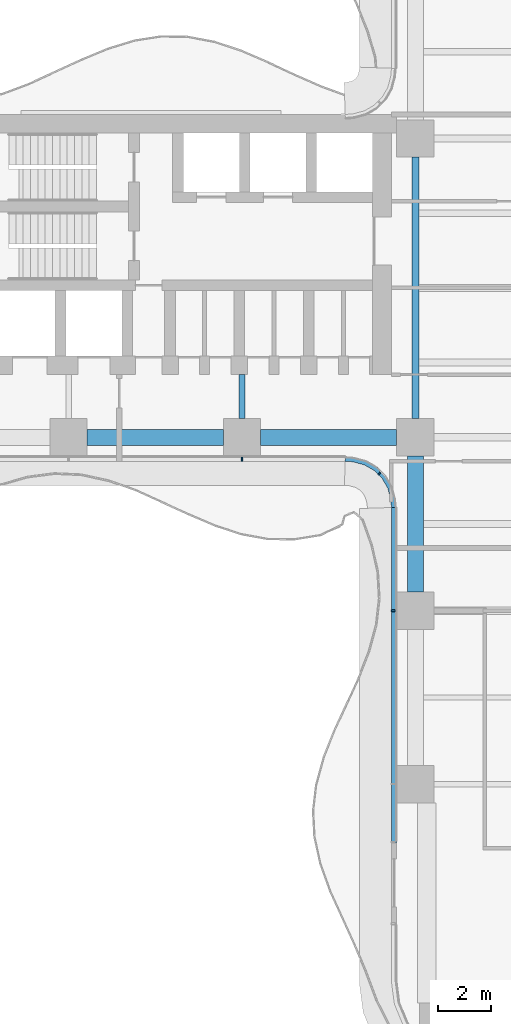
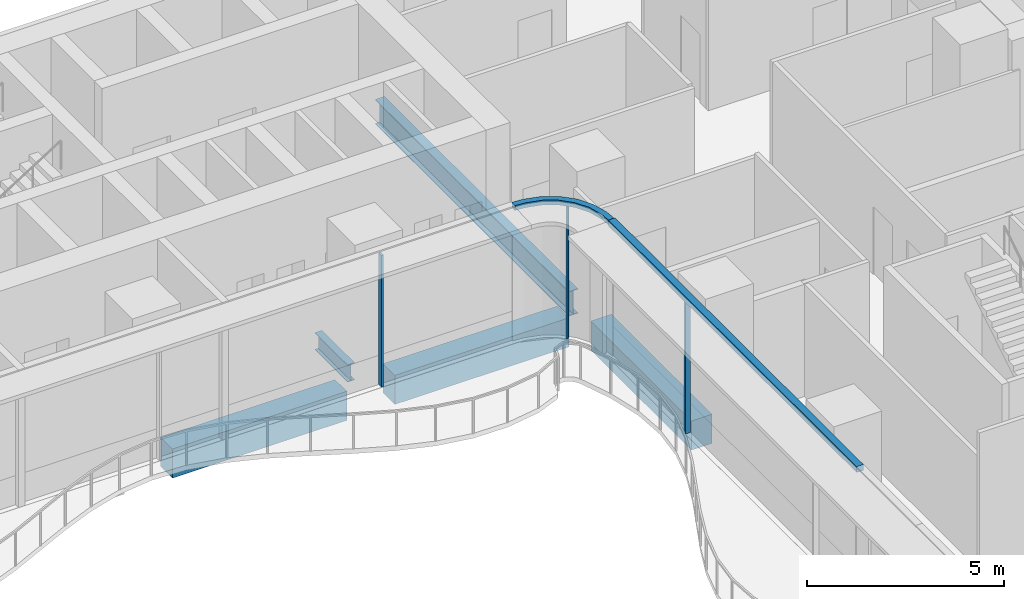
# One storey, part 4 of 22: 5 beams, 5 members, 3 elements without a shape of their own.
"""IFC4 building model written with IfcOpenShell, lengths in metres."""

from ifc_helpers import new_model, si_unit, direction, frame, origin, origin_2d, place, context, subcontext, project, spatial, polyline, rectangle, i_section, outline, extrude, source, transform, mapped, material, layer, layer_set, material_profile, profile_set, type_object, element, aggregate, save


model = new_model("IFC4")

# Units and contexts
model_context = context("Model", 3, precision=1e-05, world=origin(), true_north=direction((0.0, 1.0)))
body_context = subcontext(model_context, "Body", "Model", "MODEL_VIEW")
ifc_project = project(units=[si_unit("LENGTHUNIT", "METRE"), si_unit("AREAUNIT", "SQUARE_METRE"), si_unit("VOLUMEUNIT", "CUBIC_METRE"), si_unit("PLANEANGLEUNIT", "RADIAN"), si_unit("MASSUNIT", "GRAM", prefix="KILO")], contexts=[model_context])

# Site, building, storey
site_placement = place(None, origin())
site = spatial("IfcSite", under=ifc_project, at=site_placement, CompositionType="ELEMENT")
building_placement = place(site_placement, origin())
building = spatial("IfcBuilding", under=site, at=building_placement, Name="Trellis Farm Tower", CompositionType="ELEMENT")
storey_placement = place(building_placement, frame((0.0, 0.0, 56.5)))
storey = spatial("IfcBuildingStorey", under=building, at=storey_placement, Name="L11", CompositionType="ELEMENT", Elevation=56.5)

# Beams
ifc_material_1 = material(Name="Concrete C60/75", Category="concrete")
ifc_material_profile_1 = material_profile(ifc_material_1, rectangle(XDim=0.60009765625, YDim=0.89990234375, at=origin_2d()), Name="RC spandrel beam 600x900 C60/75")
ifc_profile_set_1 = profile_set([ifc_material_profile_1], Name="Concrete C60/75")
beam_type_1 = type_object("IfcBeamType", Name="RC spandrel beam 600x900 C60/75", PredefinedType="SPANDREL", material=ifc_profile_set_1)
shared_shape_1 = source(origin(), body_context, "Body", "SweptSolid", [
    extrude(rectangle(XDim=0.60009765625, YDim=0.89990234375, at=origin_2d()), origin(), (0.0, 0.0, 1.0), 5.099853515625),
])
for number, where, z_axis, x_axis, name in (
    (1, (-17.89990234375, -5.60009765625, -0.699951171875), (1.0, 0.0, 0.0), (0.0, 1.0, 0.0), "Girder"),
    (2, (-11.39990234375, -5.60009765625, -0.699951171875), (1.0, 0.0, 0.0), (0.0, 1.0, 0.0), "Girder"),
    (3, (-5.60009765625, -11.39990234375, -0.699951171875), (0.0, 1.0, 0.0), (-1.0, 0.0, 0.0), "Girder"),
):
    element("IfcBeam", number, at=place(storey_placement, frame(where, z_axis=z_axis, x_axis=x_axis)), inside=storey, type_object=beam_type_1, Name=name, PredefinedType="SPANDREL", context=body_context, shape_type="MappedRepresentation", body=[
        mapped(shared_shape_1, transform((0.0, 0.0, 0.0))),
    ])
ifc_material_2 = material(Name="Steel S355", Category="steel")
ifc_material_profile_2 = material_profile(ifc_material_2, i_section(OverallWidth=0.2666015625, OverallDepth=0.76220703125, WebThickness=0.014404296875, FlangeThickness=0.021484375, FilletRadius=0.0166015625, at=origin_2d()), Name="UB 762x267x173")
ifc_profile_set_2 = profile_set([ifc_material_profile_2], Name="Steel S355")
beam_type_2 = type_object("IfcBeamType", Name="UB 762x267x173", PredefinedType="BEAM", material=ifc_profile_set_2)
shared_shape_2 = source(origin(), body_context, "Body", "SweptSolid", [
    extrude(i_section(OverallWidth=0.2666015625, OverallDepth=0.76220703125, WebThickness=0.014404296875, FlangeThickness=0.021484375, FilletRadius=0.0166015625, at=origin_2d()), origin(), (0.0, 0.0, 1.0), 9.7998046875),
])
beam_1_placement = place(storey_placement, frame((-5.60009765625, -4.89990234375, -0.631103515625), z_axis=(0.0, 1.0, 0.0), x_axis=(-1.0, 0.0, 0.0)))
element("IfcBeam", 4, at=beam_1_placement, inside=storey, type_object=beam_type_2, Name="Girder", PredefinedType="BEAM", context=body_context, shape_type="MappedRepresentation", body=[
    mapped(shared_shape_2, transform((0.0, 0.0, 0.0))),
])
ifc_material_profile_3 = material_profile(ifc_material_2, i_section(OverallWidth=0.209228515625, OverallDepth=0.533203125, WebThickness=0.010009765625, FlangeThickness=0.015625, FilletRadius=0.0126953125, at=origin_2d()), Name="UB 533x210x92")
ifc_profile_set_3 = profile_set([ifc_material_profile_3], Name="Steel S355")
beam_type_3 = type_object("IfcBeamType", Name="UB 533x210x92", PredefinedType="BEAM", material=ifc_profile_set_3)
shared_shape_3 = source(origin(), body_context, "Body", "SweptSolid", [
    extrude(i_section(OverallWidth=0.209228515625, OverallDepth=0.533203125, WebThickness=0.010009765625, FlangeThickness=0.015625, FilletRadius=0.0126953125, at=origin_2d()), origin(), (0.0, 0.0, 1.0), 1.64990234375),
])
beam_2_placement = place(storey_placement, frame((-12.10009765625, -4.89990234375, -0.5166015625), z_axis=(0.0, 1.0, 0.0), x_axis=(-1.0, 0.0, 0.0)))
element("IfcBeam", 5, at=beam_2_placement, inside=storey, type_object=beam_type_3, Name="Girder", PredefinedType="BEAM", context=body_context, shape_type="MappedRepresentation", body=[
    mapped(shared_shape_3, transform((0.0, 0.0, 0.0))),
])

# Curtain wall, member
ifc_material_3 = material(Name="Aluminium and glass curtain wall", Category="aluminium")
ifc_layer_1 = layer(ifc_material_3, 0.18994140625)
ifc_layer_set_1 = layer_set([ifc_layer_1], Name="RIBBON CURTAIN WALL CW1")
curtain_wall_type_1 = type_object("IfcCurtainWallType", Name="RIBBON CURTAIN WALL CW1", PredefinedType="NOTDEFINED", material=ifc_layer_set_1)
placement = place(storey_placement, origin())
curtain_wall_1 = element("IfcCurtainWall", 6, at=placement, inside=storey, type_object=curtain_wall_type_1, Name="CW1 001", PredefinedType="NOTDEFINED")
ifc_material_4 = material(Name="Aluminium extrusion 6063-T6", Category="aluminium")
ifc_material_profile_4 = material_profile(ifc_material_4, rectangle(XDim=0.06005859375, YDim=0.14990234375, at=origin_2d()), Name="MULLION 60x150")
ifc_profile_set_4 = profile_set([ifc_material_profile_4], Name="Aluminium extrusion 6063-T6")
member_type_1 = type_object("IfcMemberType", Name="CW1 MULLION 60x150", PredefinedType="MULLION", material=ifc_profile_set_4)
shared_shape_4 = source(origin(), body_context, "Body", "SweptSolid", [
    extrude(rectangle(XDim=0.06005859375, YDim=0.14990234375, at=origin_2d()), origin(), (0.0, 0.0, 1.0), 4.070068359375),
])
member_1_placement = place(storey_placement, frame((-12.10009765625, -6.425048828125, 0.0), z_axis=(0.0, 0.0, 1.0), x_axis=(1.0, 0.0, 0.0)))
member_1 = element("IfcMember", 7, at=member_1_placement, type_object=member_type_1, Name="MU1 001-03", PredefinedType="MULLION", context=body_context, shape_type="MappedRepresentation", body=[
    mapped(shared_shape_4, transform((0.0, 0.0, 0.0))),
])
aggregate(curtain_wall_1, [member_1])

curtain_wall_2 = element("IfcCurtainWall", 8, at=placement, inside=storey, type_object=curtain_wall_type_1, Name="CW1 002", PredefinedType="NOTDEFINED")
member_2_placement = place(storey_placement, frame((-6.425048828125, -12.10009765625, 0.0), z_axis=(0.0, 0.0, 1.0), x_axis=(0.0, -1.0, 0.0)))
member_2 = element("IfcMember", 9, at=member_2_placement, type_object=member_type_1, Name="MU1 002-01", PredefinedType="MULLION", context=body_context, shape_type="MappedRepresentation", body=[
    mapped(shared_shape_4, transform((0.0, 0.0, 0.0))),
])

# Curtain wall, members
ifc_layer_2 = layer(ifc_material_3, 0.166015625)
ifc_layer_set_2 = layer_set([ifc_layer_2], Name="WINTER GARDEN CURTAIN WALL CW3")
curtain_wall_type_2 = type_object("IfcCurtainWallType", Name="WINTER GARDEN CURTAIN WALL CW3", PredefinedType="NOTDEFINED", material=ifc_layer_set_2)
curtain_wall_3 = element("IfcCurtainWall", 10, at=placement, inside=storey, type_object=curtain_wall_type_2, Name="CW3 001", PredefinedType="NOTDEFINED")
ifc_material_profile_5 = material_profile(ifc_material_4, rectangle(XDim=0.050048828125, YDim=0.1201171875, at=origin_2d()), Name="MULLION 50x120")
ifc_profile_set_5 = profile_set([ifc_material_profile_5], Name="Aluminium extrusion 6063-T6")
member_type_2 = type_object("IfcMemberType", Name="CW3 MULLION 50x120", PredefinedType="MULLION", material=ifc_profile_set_5)
shared_shape_5 = source(origin(), body_context, "Body", "SweptSolid", [
    extrude(rectangle(XDim=0.050048828125, YDim=0.1201171875, at=origin_2d()), origin(), (0.0, 0.0, 1.0), 4.10009765625),
])
member_3_placement = place(storey_placement, frame((-6.953125, -6.953125, 0.0), z_axis=(0.0, 0.0, 1.0), x_axis=(0.707106781187, -0.707106781187, 0.0)))
member_3 = element("IfcMember", 11, at=member_3_placement, type_object=member_type_2, Name="MU3 001-01", PredefinedType="MULLION", context=body_context, shape_type="MappedRepresentation", body=[
    mapped(shared_shape_5, transform((0.0, 0.0, 0.0))),
])
ifc_layer_3 = layer(ifc_material_4, 0.169921875)
ifc_layer_set_3 = layer_set([ifc_layer_3], Name="Aluminium extrusion 6063-T6")
member_type_3 = type_object("IfcMemberType", Name="CW3 TRANSOM 170x150", PredefinedType="USERDEFINED", material=ifc_layer_set_3)
shared_shape_6 = source(origin(), body_context, "Body", "SweptSolid", [
    extrude(outline(polyline([(-8.2314453125, -6.5), (-8.01953125, -6.513916015625), (-7.91552734375, -6.527587890625), (-7.508544921875, -6.63671875), (-7.144287109375, -6.846923828125), (-6.846923828125, -7.144287109375), (-6.63671875, -7.508544921875), (-6.527587890625, -7.91552734375), (-6.513916015625, -8.01953125), (-6.5, -8.2314453125), (-6.330078125, -8.225830078125), (-6.3447265625, -8.0029296875), (-6.360595703125, -7.88232421875), (-6.478271484375, -7.44287109375), (-6.7109375, -7.0400390625), (-7.0400390625, -6.7109375), (-7.44287109375, -6.478271484375), (-7.88232421875, -6.360595703125), (-8.0029296875, -6.3447265625), (-8.225830078125, -6.330078125), (-8.2314453125, -6.5)])), origin(), (0.0, 0.0, 1.0), 0.14990234375),
])
member_4_placement = place(storey_placement, frame((0.0, 0.0, 4.10009765625)))
member_4 = element("IfcMember", 12, at=member_4_placement, type_object=member_type_3, Name="TR3 001", ObjectType="TRANSOM", PredefinedType="USERDEFINED", context=body_context, shape_type="MappedRepresentation", body=[
    mapped(shared_shape_6, transform((0.0, 0.0, 0.0))),
])
aggregate(curtain_wall_3, [member_3, member_4])

# Member
ifc_layer_4 = layer(ifc_material_4, 0.199951171875)
ifc_layer_set_4 = layer_set([ifc_layer_4], Name="Aluminium extrusion 6063-T6")
member_type_4 = type_object("IfcMemberType", Name="CW1 TRANSOM 200x180", PredefinedType="USERDEFINED", material=ifc_layer_set_4)
shared_shape_7 = source(origin(), body_context, "Body", "SweptSolid", [
    extrude(outline(polyline([(-6.5, -8.2314453125), (-6.5, -20.800048828125), (-6.300048828125, -20.800048828125), (-6.300048828125, -8.224853515625), (-6.5, -8.2314453125)])), origin(), (0.0, 0.0, 1.0), 0.179931640625),
])
member_5_placement = place(storey_placement, frame((0.0, 0.0, 4.070068359375)))
member_5 = element("IfcMember", 13, at=member_5_placement, type_object=member_type_4, Name="TR1 002", ObjectType="TRANSOM", PredefinedType="USERDEFINED", context=body_context, shape_type="MappedRepresentation", body=[
    mapped(shared_shape_7, transform((0.0, 0.0, 0.0))),
])

aggregate(curtain_wall_2, [member_2, member_5])

save(model, "model.ifc")
